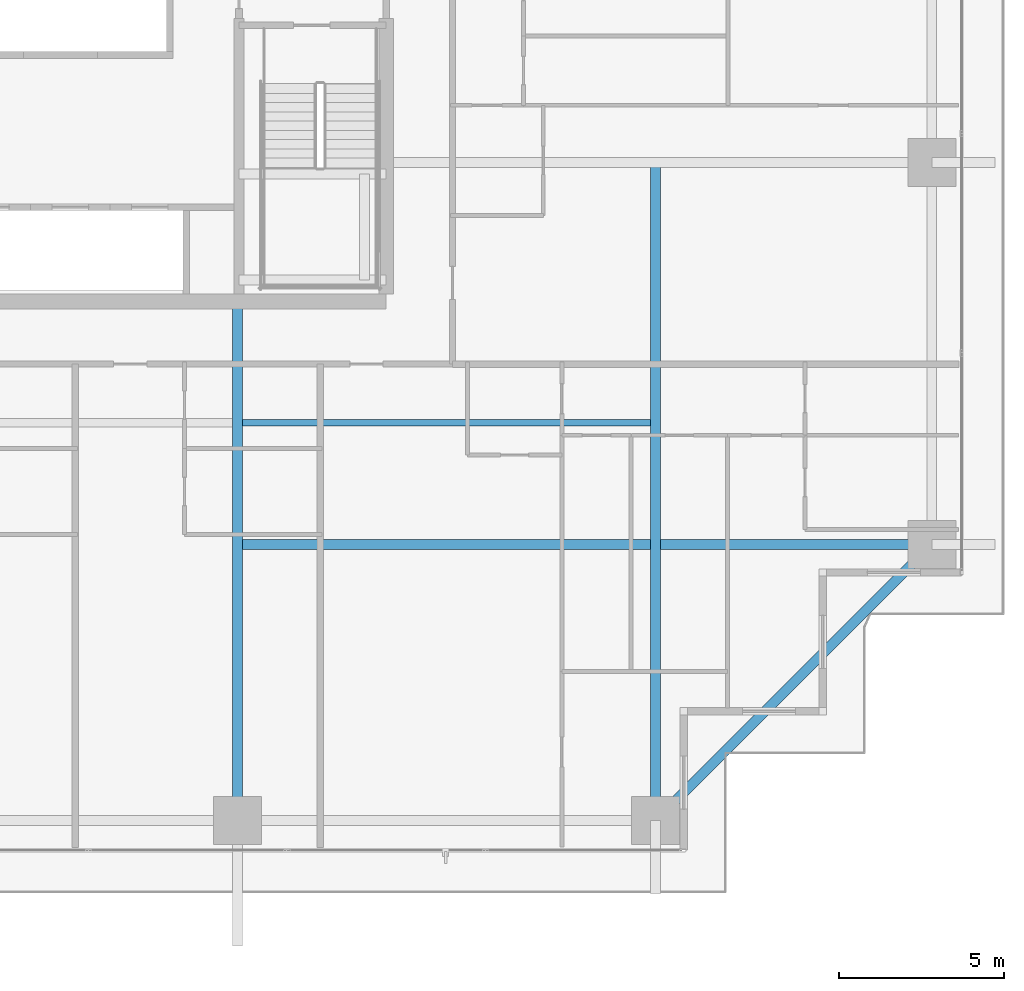
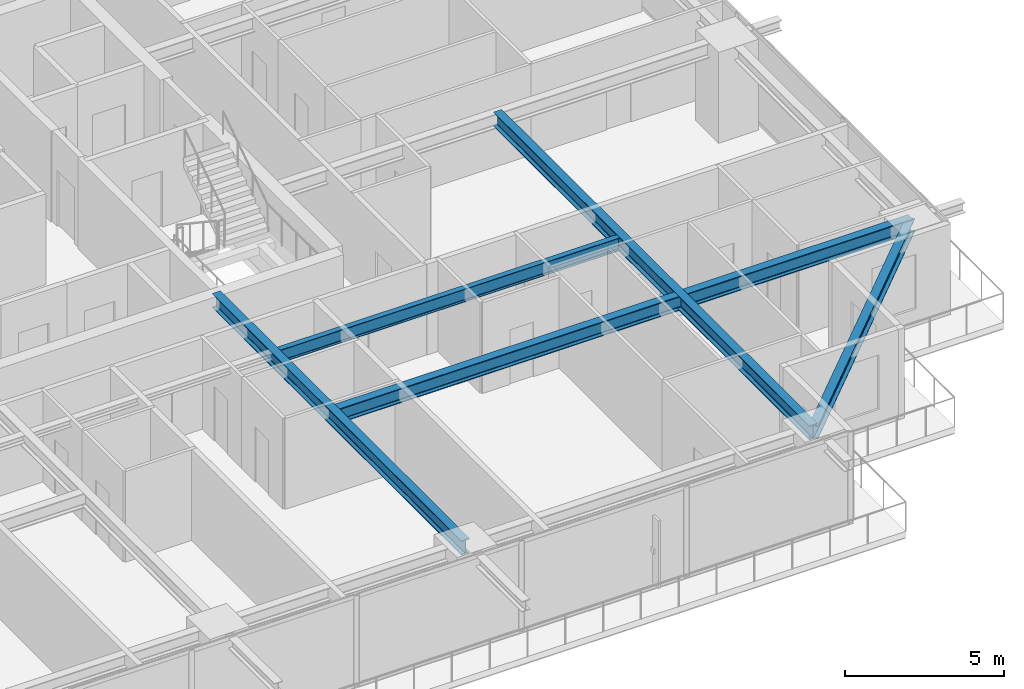
# One storey, part 11 of 36: 5 beams.
"""IFC4 building model written with IfcOpenShell, lengths in metres."""

from ifc_helpers import new_model, si_unit, direction, frame, origin, origin_2d, place, context, subcontext, project, spatial, i_section, extrude, source, transform, mapped, material, material_profile, profile_set, type_object, element, save


model = new_model("IFC4")

# Units and contexts
model_context = context("Model", 3, precision=1e-05, world=origin(), true_north=direction((0.0, 1.0)))
body_context = subcontext(model_context, "Body", "Model", "MODEL_VIEW")
ifc_project = project(units=[si_unit("LENGTHUNIT", "METRE"), si_unit("AREAUNIT", "SQUARE_METRE"), si_unit("VOLUMEUNIT", "CUBIC_METRE"), si_unit("PLANEANGLEUNIT", "RADIAN"), si_unit("MASSUNIT", "GRAM", prefix="KILO")], contexts=[model_context])

# Site, building, storey
site_placement = place(None, origin())
site = spatial("IfcSite", under=ifc_project, at=site_placement, CompositionType="ELEMENT")
building_placement = place(site_placement, origin())
building = spatial("IfcBuilding", under=site, at=building_placement, Name="Serunith Strait Residences", CompositionType="ELEMENT")
storey_placement = place(building_placement, frame((0.0, 0.0, 86.699951171875)))
storey = spatial("IfcBuildingStorey", under=building, at=storey_placement, Name="L21", CompositionType="ELEMENT", Elevation=86.699951171875)

# Beams
ifc_material = material(Name="Steel S355J2", Category="steel")
ifc_material_profile_1 = material_profile(ifc_material, i_section(OverallWidth=0.300048828125, OverallDepth=0.550048828125, WebThickness=0.014892578125, FlangeThickness=0.029052734375, FilletRadius=0.027099609375, at=origin_2d()), Name="HEB 550")
ifc_profile_set_1 = profile_set([ifc_material_profile_1], Name="Steel S355J2")
beam_type_1 = type_object("IfcBeamType", Name="BM-HEB550", PredefinedType="BEAM", material=ifc_profile_set_1)
shared_shape_1 = source(origin(), body_context, "Body", "SweptSolid", [
    extrude(i_section(OverallWidth=0.300048828125, OverallDepth=0.550048828125, WebThickness=0.014892578125, FlangeThickness=0.029052734375, FilletRadius=0.027099609375, at=origin_2d()), origin(), (0.0, 0.0, 1.0), 15.699951171875),
])
beam_1_placement = place(storey_placement, frame((36.89990234375, 16.800048828125, 3.212158203125), z_axis=(0.0, -1.0, 0.0), x_axis=(1.0, 0.0, 0.0)))
element("IfcBeam", 1, at=beam_1_placement, inside=storey, type_object=beam_type_1, Name="L21 Primary Floor Girder TC-S3", PredefinedType="BEAM", context=body_context, shape_type="MappedRepresentation", body=[
    mapped(shared_shape_1, transform((0.0, 0.0, 0.0), scale=1.0)),
])
shared_shape_2 = source(origin(), body_context, "Body", "SweptSolid", [
    extrude(i_section(OverallWidth=0.300048828125, OverallDepth=0.550048828125, WebThickness=0.014892578125, FlangeThickness=0.029052734375, FilletRadius=0.027099609375, at=origin_2d()), origin(), (0.0, 0.0, 1.0), 19.89990234375),
])
beam_2_placement = place(storey_placement, frame((49.550048828125, 21.0, 3.212158203125), z_axis=(0.0, -1.0, 0.0), x_axis=(1.0, 0.0, 0.0)))
element("IfcBeam", 2, at=beam_2_placement, inside=storey, type_object=beam_type_1, Name="L21 Orthogonal Corner Girder TC-S4", PredefinedType="BEAM", context=body_context, shape_type="MappedRepresentation", body=[
    mapped(shared_shape_2, transform((0.0, 0.0, 0.0), scale=1.0)),
])
shared_shape_3 = source(origin(), body_context, "Body", "SweptSolid", [
    extrude(i_section(OverallWidth=0.300048828125, OverallDepth=0.550048828125, WebThickness=0.014892578125, FlangeThickness=0.029052734375, FilletRadius=0.027099609375, at=origin_2d()), origin(), (0.0, 0.0, 1.0), 21.0),
])
beam_3_placement = place(storey_placement, frame((36.89990234375, 9.449951171875, 3.212158203125), z_axis=(1.0, 0.0, 0.0), x_axis=(0.0, 1.0, 0.0)))
element("IfcBeam", 3, at=beam_3_placement, inside=storey, type_object=beam_type_1, Name="L21 Orthogonal Corner Girder TC-E1", PredefinedType="BEAM", context=body_context, shape_type="MappedRepresentation", body=[
    mapped(shared_shape_3, transform((0.0, 0.0, 0.0), scale=1.0)),
])
ifc_material_profile_2 = material_profile(ifc_material, i_section(OverallWidth=0.300048828125, OverallDepth=0.5, WebThickness=0.014404296875, FlangeThickness=0.028076171875, FilletRadius=0.027099609375, at=origin_2d()), Name="HEB 500")
ifc_profile_set_2 = profile_set([ifc_material_profile_2], Name="Steel S355J2")
beam_type_2 = type_object("IfcBeamType", Name="BM-HEB500", PredefinedType="BEAM", material=ifc_profile_set_2)
shared_shape_4 = source(origin(), body_context, "Body", "SweptSolid", [
    extrude(i_section(OverallWidth=0.300048828125, OverallDepth=0.5, WebThickness=0.014404296875, FlangeThickness=0.028076171875, FilletRadius=0.027099609375, at=origin_2d()), origin(), (0.0, 0.0, 1.0), 11.80859375),
])
beam_4_placement = place(storey_placement, frame((49.550048828125, 1.10009765625, 3.20703125), z_axis=(0.707106781187, 0.707106781187, 0.0), x_axis=(-0.707106781187, 0.707106781187, 0.0)))
element("IfcBeam", 4, at=beam_4_placement, inside=storey, type_object=beam_type_2, Name="L21 Perimeter Ring Beam 04", PredefinedType="BEAM", context=body_context, shape_type="MappedRepresentation", body=[
    mapped(shared_shape_4, transform((0.0, 0.0, 0.0), scale=1.0)),
])
ifc_material_profile_3 = material_profile(ifc_material, i_section(OverallWidth=0.199951171875, OverallDepth=0.5, WebThickness=0.01025390625, FlangeThickness=0.01611328125, FilletRadius=0.02099609375, at=origin_2d()), Name="IPE 500")
ifc_profile_set_3 = profile_set([ifc_material_profile_3], Name="Steel S355J2")
beam_type_3 = type_object("IfcBeamType", Name="BM-IPE500", PredefinedType="JOIST", material=ifc_profile_set_3)
shared_shape_5 = source(origin(), body_context, "Body", "SweptSolid", [
    extrude(i_section(OverallWidth=0.199951171875, OverallDepth=0.5, WebThickness=0.01025390625, FlangeThickness=0.01611328125, FilletRadius=0.02099609375, at=origin_2d()), origin(), (0.0, 0.0, 1.0), 12.349853515625),
])
beam_5_placement = place(storey_placement, frame((37.050048828125, 13.125, 3.237060546875), z_axis=(1.0, 0.0, 0.0), x_axis=(0.0, 1.0, 0.0)))
element("IfcBeam", 5, at=beam_5_placement, inside=storey, type_object=beam_type_3, Name="L21 Composite Floor Joist 03", PredefinedType="JOIST", context=body_context, shape_type="MappedRepresentation", body=[
    mapped(shared_shape_5, transform((0.0, 0.0, 0.0), scale=1.0)),
])

save(model, "model.ifc")
